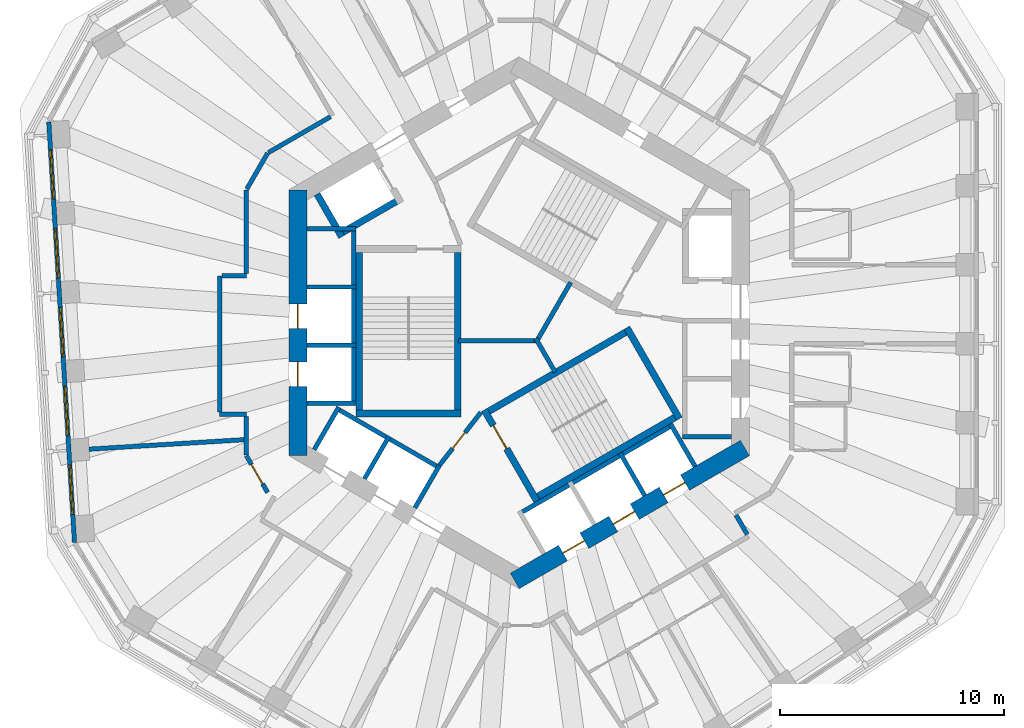
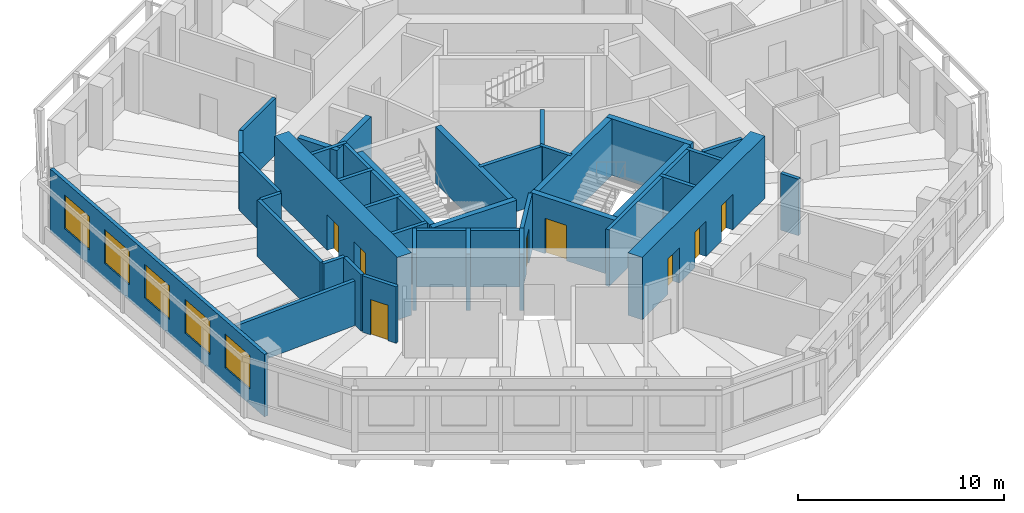
# One storey, part 5 of 11: 39 walls, 8 doors, 5 windows, 13 openings.
"""IFC4 building model written with IfcOpenShell, lengths in metres."""

from ifc_helpers import new_model, si_unit, direction, frame, frame_2d, origin, place, context, subcontext, project, spatial, rectangle, extrude, material, layer, layer_set, type_object, element, fill, save


model = new_model("IFC4")

# Units and contexts
model_context = context("Model", 3, precision=1e-05, world=origin(), true_north=direction((0.0, 1.0)))
body_context = subcontext(model_context, "Body", "Model", "MODEL_VIEW")
ifc_project = project(units=[si_unit("LENGTHUNIT", "METRE"), si_unit("AREAUNIT", "SQUARE_METRE"), si_unit("VOLUMEUNIT", "CUBIC_METRE"), si_unit("PLANEANGLEUNIT", "RADIAN"), si_unit("MASSUNIT", "GRAM", prefix="KILO")], contexts=[model_context])

# Site, building, storey
site_placement = place(None, origin())
site = spatial("IfcSite", under=ifc_project, at=site_placement, CompositionType="ELEMENT")
building_placement = place(site_placement, origin())
building = spatial("IfcBuilding", under=site, at=building_placement, Name="Vanh Sen Convention Tower", CompositionType="ELEMENT")
storey_placement = place(building_placement, frame((0.0, 0.0, 210.60009765625)))
storey = spatial("IfcBuildingStorey", under=building, at=storey_placement, Name="L52", CompositionType="ELEMENT", Elevation=210.60009765625)

# Wall, openings, doors
ifc_material_1 = material(Name="Concrete C60/75", Category="concrete")
ifc_layer_1 = layer(ifc_material_1, 0.800048828125)
ifc_layer_set_1 = layer_set([ifc_layer_1], Name="Concrete C60/75")
wall_type_1 = type_object("IfcWallType", Name="Core outer wall 800 C60/75", PredefinedType="SHEAR", material=ifc_layer_set_1)
wall_1_placement = place(storey_placement, frame((-9.89990234375, 5.94677734375, 0.0), z_axis=(0.0, 0.0, 1.0), x_axis=(0.0, -1.0, 0.0)))
wall_1 = element("IfcWall", 1, at=wall_1_placement, inside=storey, type_object=wall_type_1, Name="Core wall face W L52", PredefinedType="SHEAR", context=body_context, shape_type="SweptSolid", body=[
    extrude(rectangle(XDim=11.8935546875, YDim=0.800048828125, at=frame_2d((5.94677734375, 0.0))), origin(), (0.0, 0.0, 1.0), 3.699951171875),
])
opening_1_placement = place(wall_1_placement, frame((5.0966796875, 0.0, 0.0)))
opening_1 = element("IfcOpeningElement", 2, at=opening_1_placement, cuts=wall_1, Name="Opening LD-HR1", PredefinedType="OPENING", context=body_context, shape_type="SweptSolid", body=[
    extrude(rectangle(XDim=1.10009765625, YDim=2.10009765625, at=frame_2d((0.550048828125, 1.050048828125))), frame((0.0, 0.409912109375, 0.0), z_axis=(0.0, -1.0, 0.0), x_axis=(1.0, 0.0, 0.0)), (0.0, 0.0, 1.0), 0.820068359375),
])
opening_2_placement = place(wall_1_placement, frame((7.69677734375, 0.0, 0.0)))
opening_2 = element("IfcOpeningElement", 3, at=opening_2_placement, cuts=wall_1, Name="Opening LD-HR2", PredefinedType="OPENING", context=body_context, shape_type="SweptSolid", body=[
    extrude(rectangle(XDim=1.10009765625, YDim=2.10009765625, at=frame_2d((0.550048828125, 1.050048828125))), frame((0.0, 0.409912109375, 0.0), z_axis=(0.0, -1.0, 0.0), x_axis=(1.0, 0.0, 0.0)), (0.0, 0.0, 1.0), 0.820068359375),
])
ifc_material_2 = material(Name="Stainless steel", Category="steel")
door_type_1 = type_object("IfcDoorType", Name="Lift landing door 1100", OperationType="DOUBLE_DOOR_SLIDING", PredefinedType="DOOR", material=ifc_material_2)
door_1_placement = place(opening_1_placement, origin())
door_1 = element("IfcDoor", 4, at=door_1_placement, inside=storey, type_object=door_type_1, Name="Lift HR1 landing door LD-HR1", OperationType="DOUBLE_DOOR_SLIDING", OverallHeight=2.10009765625, OverallWidth=1.10009765625, PredefinedType="DOOR", context=body_context, shape_type="SweptSolid", body=[
    extrude(rectangle(XDim=1.10009765625, YDim=2.10009765625, at=frame_2d((0.550048828125, 1.050048828125))), frame((0.0, 0.02490234375, 0.0), z_axis=(0.0, -1.0, 0.0), x_axis=(1.0, 0.0, 0.0)), (0.0, 0.0, 1.0), 0.050048828125),
])
fill(opening_1, door_1)
door_2_placement = place(opening_2_placement, origin())
door_2 = element("IfcDoor", 5, at=door_2_placement, inside=storey, type_object=door_type_1, Name="Lift HR2 landing door LD-HR2", OperationType="DOUBLE_DOOR_SLIDING", OverallHeight=2.10009765625, OverallWidth=1.10009765625, PredefinedType="DOOR", context=body_context, shape_type="SweptSolid", body=[
    extrude(rectangle(XDim=1.10009765625, YDim=2.10009765625, at=frame_2d((0.550048828125, 1.050048828125))), frame((0.0, 0.02490234375, 0.0), z_axis=(0.0, -1.0, 0.0), x_axis=(1.0, 0.0, 0.0)), (0.0, 0.0, 1.0), 0.050048828125),
])
fill(opening_2, door_2)

wall_2_placement = place(storey_placement, frame((-0.199951171875, -11.547119140625, 0.0), z_axis=(0.0, 0.0, 1.0), x_axis=(0.866023897231, 0.500002609418, 0.0)))
wall_2 = element("IfcWall", 6, at=wall_2_placement, inside=storey, type_object=wall_type_1, Name="Core wall face SE L52", PredefinedType="SHEAR", context=body_context, shape_type="SweptSolid", body=[
    extrude(rectangle(XDim=11.8935546875, YDim=0.800048828125, at=frame_2d((5.94677734375, 0.0))), origin(), (0.0, 0.0, 1.0), 3.699951171875),
])
opening_3_placement = place(wall_2_placement, frame((2.49658203125, 0.0, 0.0)))
opening_3 = element("IfcOpeningElement", 7, at=opening_3_placement, cuts=wall_2, Name="Opening LD-HR5", PredefinedType="OPENING", context=body_context, shape_type="SweptSolid", body=[
    extrude(rectangle(XDim=1.10009765625, YDim=2.10009765625, at=frame_2d((0.550048828125, 1.050048828125))), frame((0.0, 0.409912109375, 0.0), z_axis=(0.0, -1.0, 0.0), x_axis=(1.0, 0.0, 0.0)), (0.0, 0.0, 1.0), 0.820068359375),
])
opening_4_placement = place(wall_2_placement, frame((5.0966796875, 0.0, 0.0)))
opening_4 = element("IfcOpeningElement", 8, at=opening_4_placement, cuts=wall_2, Name="Opening LD-HR6", PredefinedType="OPENING", context=body_context, shape_type="SweptSolid", body=[
    extrude(rectangle(XDim=1.10009765625, YDim=2.10009765625, at=frame_2d((0.550048828125, 1.050048828125))), frame((0.0, 0.409912109375, 0.0), z_axis=(0.0, -1.0, 0.0), x_axis=(1.0, 0.0, 0.0)), (0.0, 0.0, 1.0), 0.820068359375),
])
opening_5_placement = place(wall_2_placement, frame((7.69677734375, 0.0, 0.0)))
opening_5 = element("IfcOpeningElement", 9, at=opening_5_placement, cuts=wall_2, Name="Opening LD-SV1", PredefinedType="OPENING", context=body_context, shape_type="SweptSolid", body=[
    extrude(rectangle(XDim=1.10009765625, YDim=2.10009765625, at=frame_2d((0.550048828125, 1.050048828125))), frame((0.0, 0.409912109375, 0.0), z_axis=(0.0, -1.0, 0.0), x_axis=(1.0, 0.0, 0.0)), (0.0, 0.0, 1.0), 0.820068359375),
])
door_3_placement = place(opening_3_placement, origin())
door_3 = element("IfcDoor", 10, at=door_3_placement, inside=storey, type_object=door_type_1, Name="Lift HR5 landing door LD-HR5", OperationType="DOUBLE_DOOR_SLIDING", OverallHeight=2.10009765625, OverallWidth=1.10009765625, PredefinedType="DOOR", context=body_context, shape_type="SweptSolid", body=[
    extrude(rectangle(XDim=1.10009765625, YDim=2.10009765625, at=frame_2d((0.550048828125, 1.050048828125))), frame((0.0, 0.02490234375, 0.0), z_axis=(0.0, -1.0, 0.0), x_axis=(1.0, 0.0, 0.0)), (0.0, 0.0, 1.0), 0.050048828125),
])
fill(opening_3, door_3)
door_4_placement = place(opening_4_placement, origin())
door_4 = element("IfcDoor", 11, at=door_4_placement, inside=storey, type_object=door_type_1, Name="Lift HR6 landing door LD-HR6", OperationType="DOUBLE_DOOR_SLIDING", OverallHeight=2.10009765625, OverallWidth=1.10009765625, PredefinedType="DOOR", context=body_context, shape_type="SweptSolid", body=[
    extrude(rectangle(XDim=1.10009765625, YDim=2.10009765625, at=frame_2d((0.550048828125, 1.050048828125))), frame((0.0, 0.02490234375, 0.0), z_axis=(0.0, -1.0, 0.0), x_axis=(1.0, 0.0, 0.0)), (0.0, 0.0, 1.0), 0.050048828125),
])
fill(opening_4, door_4)
door_5_placement = place(opening_5_placement, origin())
door_5 = element("IfcDoor", 12, at=door_5_placement, inside=storey, type_object=door_type_1, Name="Lift SV1 landing door LD-SV1", OperationType="DOUBLE_DOOR_SLIDING", OverallHeight=2.10009765625, OverallWidth=1.10009765625, PredefinedType="DOOR", context=body_context, shape_type="SweptSolid", body=[
    extrude(rectangle(XDim=1.10009765625, YDim=2.10009765625, at=frame_2d((0.550048828125, 1.050048828125))), frame((0.0, 0.02490234375, 0.0), z_axis=(0.0, -1.0, 0.0), x_axis=(1.0, 0.0, 0.0)), (0.0, 0.0, 1.0), 0.050048828125),
])
fill(opening_5, door_5)

# Walls
ifc_material_3 = material(Name="Masonry blockwork", Category="masonry")
ifc_layer_2 = layer(ifc_material_3, 0.199951171875)
ifc_layer_set_2 = layer_set([ifc_layer_2], Name="Masonry blockwork")
wall_type_2 = type_object("IfcWallType", Name="Core partition 200", PredefinedType="PARTITIONING", material=ifc_layer_set_2)
wall_3_placement = place(storey_placement, frame((0.919921875, -0.800048828125, 0.0), z_axis=(0.0, 0.0, 1.0), x_axis=(-1.0, 0.0, 0.0)))
element("IfcWall", 13, at=wall_3_placement, inside=storey, type_object=wall_type_2, Name="Core partition L52", PredefinedType="PARTITIONING", context=body_context, shape_type="SweptSolid", body=[
    extrude(rectangle(XDim=3.639892578125, YDim=0.199951171875, at=frame_2d((1.81982421875, 0.0))), origin(), (0.0, 0.0, 1.0), 3.349853515625),
])
wall_4_placement = place(storey_placement, frame((0.739990234375, -0.90380859375, 0.0), z_axis=(0.0, 0.0, 1.0), x_axis=(0.500028278809, 0.866009076391, 0.0)))
element("IfcWall", 14, at=wall_4_placement, inside=storey, type_object=wall_type_2, Name="Core partition L52", PredefinedType="PARTITIONING", context=body_context, shape_type="SweptSolid", body=[
    extrude(rectangle(XDim=3.132568359375, YDim=0.199951171875, at=frame_2d((1.56640625, 0.0))), origin(), (0.0, 0.0, 1.0), 3.349853515625),
])
wall_5_placement = place(storey_placement, frame((0.739990234375, -0.696044921875, 0.0), z_axis=(0.0, 0.0, 1.0), x_axis=(0.499956301907, -0.86605063142, 0.0)))
element("IfcWall", 15, at=wall_5_placement, inside=storey, type_object=wall_type_2, Name="Core partition L52", PredefinedType="PARTITIONING", context=body_context, shape_type="SweptSolid", body=[
    extrude(rectangle(XDim=1.747314453125, YDim=0.199951171875, at=frame_2d((0.87353515625, 0.0))), origin(), (0.0, 0.0, 1.0), 3.349853515625),
])
ifc_material_4 = material(Name="Gypsum board on steel studs with mineral wool", Category="steel")
ifc_layer_3 = layer(ifc_material_4, 0.199951171875)
ifc_layer_set_3 = layer_set([ifc_layer_3], Name="Gypsum board on steel studs with mineral wool")
wall_type_3 = type_object("IfcWallType", Name="Corridor partition wall 200", PredefinedType="PARTITIONING", material=ifc_layer_set_3)
wall_6_placement = place(storey_placement, frame((-13.40087890625, -4.10107421875, 0.0), z_axis=(0.0, 0.0, 1.0), x_axis=(1.0, 0.0, 0.0)))
element("IfcWall", 16, at=wall_6_placement, inside=storey, type_object=wall_type_3, Name="Corridor partition wall 200", PredefinedType="PARTITIONING", context=body_context, shape_type="SweptSolid", body=[
    extrude(rectangle(XDim=1.200927734375, YDim=0.199951171875, at=frame_2d((0.6005859375, 0.0))), origin(), (0.0, 0.0, 1.0), 3.349853515625),
])
wall_7_placement = place(storey_placement, frame((-13.40087890625, 2.10107421875, 0.0), z_axis=(0.0, 0.0, 1.0), x_axis=(0.0, -1.0, 0.0)))
element("IfcWall", 17, at=wall_7_placement, inside=storey, type_object=wall_type_3, Name="Corridor partition wall 200", PredefinedType="PARTITIONING", context=body_context, shape_type="SweptSolid", body=[
    extrude(rectangle(XDim=6.10205078125, YDim=0.199951171875, at=frame_2d((3.051025390625, 0.0))), origin(), (0.0, 0.0, 1.0), 3.349853515625),
])

# Wall, opening, door
wall_8_placement = place(storey_placement, frame((-12.199951171875, -5.94677734375, 0.0), z_axis=(0.0, 0.0, 1.0), x_axis=(0.500022797313, -0.86601224135, 0.0)))
wall_8 = element("IfcWall", 18, at=wall_8_placement, inside=storey, type_object=wall_type_3, Name="Corridor partition wall 200", PredefinedType="PARTITIONING", context=body_context, shape_type="SweptSolid", body=[
    extrude(rectangle(XDim=1.89990234375, YDim=0.199951171875, at=frame_2d((0.949951171875, 0.0))), origin(), (0.0, 0.0, 1.0), 3.349853515625),
])
opening_6_placement = place(wall_8_placement, frame((0.449951171875, 0.0, 0.0)))
opening_6 = element("IfcOpeningElement", 19, at=opening_6_placement, cuts=wall_8, Name="Opening D52109", PredefinedType="OPENING", context=body_context, shape_type="SweptSolid", body=[
    extrude(rectangle(XDim=1.0, YDim=2.10009765625, at=frame_2d((0.5, 1.050048828125))), frame((0.0, 0.10986328125, 0.0), z_axis=(0.0, -1.0, 0.0), x_axis=(1.0, 0.0, 0.0)), (0.0, 0.0, 1.0), 0.219970703125),
])
ifc_material_5 = material(Name="Timber fire door in steel frame", Category="steel")
door_type_2 = type_object("IfcDoorType", Name="Floor room door 1000", OperationType="SINGLE_SWING_LEFT", PredefinedType="DOOR", material=ifc_material_5)
door_6_placement = place(opening_6_placement, origin())
door_6 = element("IfcDoor", 20, at=door_6_placement, inside=storey, type_object=door_type_2, Name="Meeting and amenity room door D52109", OperationType="SINGLE_SWING_LEFT", OverallHeight=2.10009765625, OverallWidth=1.0, PredefinedType="DOOR", context=body_context, shape_type="SweptSolid", body=[
    extrude(rectangle(XDim=1.0, YDim=2.10009765625, at=frame_2d((0.5, 1.050048828125))), frame((0.0, 0.02490234375, 0.0), z_axis=(0.0, -1.0, 0.0), x_axis=(1.0, 0.0, 0.0)), (0.0, 0.0, 1.0), 0.050048828125),
])
fill(opening_6, door_6)

# Walls
wall_9_placement = place(storey_placement, frame((-12.199951171875, -4.200927734375, 0.0), z_axis=(0.0, 0.0, 1.0), x_axis=(0.0, -1.0, 0.0)))
element("IfcWall", 21, at=wall_9_placement, inside=storey, type_object=wall_type_3, Name="Corridor partition wall 200", PredefinedType="PARTITIONING", context=body_context, shape_type="SweptSolid", body=[
    extrude(rectangle(XDim=1.705810546875, YDim=0.199951171875, at=frame_2d((0.85302734375, 0.0))), origin(), (0.0, 0.0, 1.0), 3.349853515625),
])
wall_10_placement = place(storey_placement, frame((-12.199951171875, 2.10107421875, 0.0), z_axis=(0.0, 0.0, 1.0), x_axis=(-1.0, 0.0, 0.0)))
element("IfcWall", 22, at=wall_10_placement, inside=storey, type_object=wall_type_3, Name="Corridor partition wall 200", PredefinedType="PARTITIONING", context=body_context, shape_type="SweptSolid", body=[
    extrude(rectangle(XDim=1.10107421875, YDim=0.199951171875, at=frame_2d((0.550537109375, 0.0))), origin(), (0.0, 0.0, 1.0), 3.349853515625),
])
wall_11_placement = place(storey_placement, frame((-12.199951171875, 5.94677734375, 0.0), z_axis=(0.0, 0.0, 1.0), x_axis=(0.0, -1.0, 0.0)))
element("IfcWall", 23, at=wall_11_placement, inside=storey, type_object=wall_type_3, Name="Corridor partition wall 200", PredefinedType="PARTITIONING", context=body_context, shape_type="SweptSolid", body=[
    extrude(rectangle(XDim=3.745849609375, YDim=0.199951171875, at=frame_2d((1.873046875, 0.0))), origin(), (0.0, 0.0, 1.0), 3.349853515625),
])
wall_12_placement = place(storey_placement, frame((-11.25, 7.592041015625, 0.0), z_axis=(0.0, 0.0, 1.0), x_axis=(-0.499964847546, -0.866045698112, 0.0)))
element("IfcWall", 24, at=wall_12_placement, inside=storey, type_object=wall_type_3, Name="Corridor partition wall 200", PredefinedType="PARTITIONING", context=body_context, shape_type="SweptSolid", body=[
    extrude(rectangle(XDim=1.860107421875, YDim=0.199951171875, at=frame_2d((0.93017578125, 0.0))), origin(), (0.0, 0.0, 1.0), 3.349853515625),
])
wall_13_placement = place(storey_placement, frame((-8.4365234375, 9.216552734375, 0.0), z_axis=(0.0, 0.0, 1.0), x_axis=(-0.866005660673, -0.500034194513, 0.0)))
element("IfcWall", 25, at=wall_13_placement, inside=storey, type_object=wall_type_3, Name="Corridor partition wall 200", PredefinedType="PARTITIONING", context=body_context, shape_type="SweptSolid", body=[
    extrude(rectangle(XDim=3.208740234375, YDim=0.199951171875, at=frame_2d((1.6044921875, 0.0))), origin(), (0.0, 0.0, 1.0), 3.349853515625),
])
wall_14_placement = place(storey_placement, frame((10.2021484375, -9.468505859375, 0.0), z_axis=(0.0, 0.0, 1.0), x_axis=(-0.499968756647, 0.866043441391, 0.0)))
element("IfcWall", 26, at=wall_14_placement, inside=storey, type_object=wall_type_3, Name="Corridor partition wall 200", PredefinedType="PARTITIONING", context=body_context, shape_type="SweptSolid", body=[
    extrude(rectangle(XDim=1.0009765625, YDim=0.199951171875, at=frame_2d((0.50048828125, 0.0))), origin(), (0.0, 0.0, 1.0), 3.349853515625),
])

# Wall, openings, windows
ifc_material_6 = material(Name="Insulated lightweight infill wall")
ifc_layer_4 = layer(ifc_material_6, 0.199951171875)
ifc_layer_set_4 = layer_set([ifc_layer_4], Name="Insulated lightweight infill wall")
wall_type_4 = type_object("IfcWallType", Name="External wall 200", PredefinedType="STANDARD", material=ifc_layer_set_4)
wall_15_placement = place(storey_placement, frame((-21.03759765625, 8.983642578125, 0.0), z_axis=(0.0, 0.0, 1.0), x_axis=(0.061043935634, -0.998135079998, 0.0)))
wall_15 = element("IfcWall", 27, at=wall_15_placement, inside=storey, type_object=wall_type_4, Name="External wall W L52", PredefinedType="STANDARD", context=body_context, shape_type="SweptSolid", body=[
    extrude(rectangle(XDim=18.84130859375, YDim=0.199951171875, at=frame_2d((9.420654296875, 0.0))), origin(), (0.0, 0.0, 1.0), 3.699951171875),
])
opening_7_placement = place(wall_15_placement, frame((1.252685546875, 0.0, 0.89990234375)))
opening_7 = element("IfcOpeningElement", 28, at=opening_7_placement, cuts=wall_15, Name="Opening WO3-W1", PredefinedType="OPENING", context=body_context, shape_type="SweptSolid", body=[
    extrude(rectangle(XDim=2.199951171875, YDim=2.0, at=frame_2d((1.10009765625, 1.0))), frame((0.0, 0.10986328125, 0.0), z_axis=(0.0, -1.0, 0.0), x_axis=(1.0, 0.0, 0.0)), (0.0, 0.0, 1.0), 0.219970703125),
])
opening_8_placement = place(wall_15_placement, frame((4.7861328125, 0.0, 0.89990234375)))
opening_8 = element("IfcOpeningElement", 29, at=opening_8_placement, cuts=wall_15, Name="Opening WO3-W2", PredefinedType="OPENING", context=body_context, shape_type="SweptSolid", body=[
    extrude(rectangle(XDim=2.199951171875, YDim=2.0, at=frame_2d((1.10009765625, 1.0))), frame((0.0, 0.10986328125, 0.0), z_axis=(0.0, -1.0, 0.0), x_axis=(1.0, 0.0, 0.0)), (0.0, 0.0, 1.0), 0.219970703125),
])
opening_9_placement = place(wall_15_placement, frame((8.31982421875, 0.0, 0.89990234375)))
opening_9 = element("IfcOpeningElement", 30, at=opening_9_placement, cuts=wall_15, Name="Opening WO3-W3", PredefinedType="OPENING", context=body_context, shape_type="SweptSolid", body=[
    extrude(rectangle(XDim=2.199951171875, YDim=2.0, at=frame_2d((1.10009765625, 1.0))), frame((0.0, 0.10986328125, 0.0), z_axis=(0.0, -1.0, 0.0), x_axis=(1.0, 0.0, 0.0)), (0.0, 0.0, 1.0), 0.219970703125),
])
opening_10_placement = place(wall_15_placement, frame((11.853515625, 0.0, 0.89990234375)))
opening_10 = element("IfcOpeningElement", 31, at=opening_10_placement, cuts=wall_15, Name="Opening WO3-W4", PredefinedType="OPENING", context=body_context, shape_type="SweptSolid", body=[
    extrude(rectangle(XDim=2.199951171875, YDim=2.0, at=frame_2d((1.10009765625, 1.0))), frame((0.0, 0.10986328125, 0.0), z_axis=(0.0, -1.0, 0.0), x_axis=(1.0, 0.0, 0.0)), (0.0, 0.0, 1.0), 0.219970703125),
])
opening_11_placement = place(wall_15_placement, frame((15.38720703125, 0.0, 0.89990234375)))
opening_11 = element("IfcOpeningElement", 32, at=opening_11_placement, cuts=wall_15, Name="Opening WO3-W5", PredefinedType="OPENING", context=body_context, shape_type="SweptSolid", body=[
    extrude(rectangle(XDim=2.199951171875, YDim=2.0, at=frame_2d((1.10009765625, 1.0))), frame((0.0, 0.10986328125, 0.0), z_axis=(0.0, -1.0, 0.0), x_axis=(1.0, 0.0, 0.0)), (0.0, 0.0, 1.0), 0.219970703125),
])
ifc_material_7 = material(Name="Aluminium frame with clear low-emissivity glass", Category="aluminium")
window_type = type_object("IfcWindowType", Name="Office window 2200 x 2000", PartitioningType="SINGLE_PANEL", PredefinedType="WINDOW", material=ifc_material_7)
window_1_placement = place(opening_7_placement, origin())
window_1 = element("IfcWindow", 33, at=window_1_placement, inside=storey, type_object=window_type, Name="Window WO3-W1", OverallHeight=2.0, OverallWidth=2.199951171875, PartitioningType="SINGLE_PANEL", PredefinedType="WINDOW", context=body_context, shape_type="SweptSolid", body=[
    extrude(rectangle(XDim=2.199951171875, YDim=2.0, at=frame_2d((1.10009765625, 1.0))), frame((0.0, 0.030029296875, 0.0), z_axis=(0.0, -1.0, 0.0), x_axis=(1.0, 0.0, 0.0)), (0.0, 0.0, 1.0), 0.06005859375),
])
fill(opening_7, window_1)
window_2_placement = place(opening_8_placement, origin())
window_2 = element("IfcWindow", 34, at=window_2_placement, inside=storey, type_object=window_type, Name="Window WO3-W2", OverallHeight=2.0, OverallWidth=2.199951171875, PartitioningType="SINGLE_PANEL", PredefinedType="WINDOW", context=body_context, shape_type="SweptSolid", body=[
    extrude(rectangle(XDim=2.199951171875, YDim=2.0, at=frame_2d((1.10009765625, 1.0))), frame((0.0, 0.030029296875, 0.0), z_axis=(0.0, -1.0, 0.0), x_axis=(1.0, 0.0, 0.0)), (0.0, 0.0, 1.0), 0.06005859375),
])
fill(opening_8, window_2)
window_3_placement = place(opening_9_placement, origin())
window_3 = element("IfcWindow", 35, at=window_3_placement, inside=storey, type_object=window_type, Name="Window WO3-W3", OverallHeight=2.0, OverallWidth=2.199951171875, PartitioningType="SINGLE_PANEL", PredefinedType="WINDOW", context=body_context, shape_type="SweptSolid", body=[
    extrude(rectangle(XDim=2.199951171875, YDim=2.0, at=frame_2d((1.10009765625, 1.0))), frame((0.0, 0.030029296875, 0.0), z_axis=(0.0, -1.0, 0.0), x_axis=(1.0, 0.0, 0.0)), (0.0, 0.0, 1.0), 0.06005859375),
])
fill(opening_9, window_3)
window_4_placement = place(opening_10_placement, origin())
window_4 = element("IfcWindow", 36, at=window_4_placement, inside=storey, type_object=window_type, Name="Window WO3-W4", OverallHeight=2.0, OverallWidth=2.199951171875, PartitioningType="SINGLE_PANEL", PredefinedType="WINDOW", context=body_context, shape_type="SweptSolid", body=[
    extrude(rectangle(XDim=2.199951171875, YDim=2.0, at=frame_2d((1.10009765625, 1.0))), frame((0.0, 0.030029296875, 0.0), z_axis=(0.0, -1.0, 0.0), x_axis=(1.0, 0.0, 0.0)), (0.0, 0.0, 1.0), 0.06005859375),
])
fill(opening_10, window_4)
window_5_placement = place(opening_11_placement, origin())
window_5 = element("IfcWindow", 37, at=window_5_placement, inside=storey, type_object=window_type, Name="Window WO3-W5", OverallHeight=2.0, OverallWidth=2.199951171875, PartitioningType="SINGLE_PANEL", PredefinedType="WINDOW", context=body_context, shape_type="SweptSolid", body=[
    extrude(rectangle(XDim=2.199951171875, YDim=2.0, at=frame_2d((1.10009765625, 1.0))), frame((0.0, 0.030029296875, 0.0), z_axis=(0.0, -1.0, 0.0), x_axis=(1.0, 0.0, 0.0)), (0.0, 0.0, 1.0), 0.06005859375),
])
fill(opening_11, window_5)

# Walls
ifc_layer_5 = layer(ifc_material_1, 0.300048828125)
ifc_layer_set_5 = layer_set([ifc_layer_5], Name="Concrete C60/75")
wall_type_5 = type_object("IfcWallType", Name="Fire-fighting lift shaft wall 300", PredefinedType="SHEAR", material=ifc_layer_set_5)
wall_16_placement = place(storey_placement, frame((-5.240478515625, 5.576904296875, 0.0), z_axis=(0.0, 0.0, 1.0), x_axis=(-0.866014461049, -0.500018952895, 0.0)))
element("IfcWall", 38, at=wall_16_placement, inside=storey, type_object=wall_type_5, Name="Fire-fighting lift shaft wall L52", PredefinedType="SHEAR", context=body_context, shape_type="SweptSolid", body=[
    extrude(rectangle(XDim=3.349853515625, YDim=0.300048828125, at=frame_2d((1.6748046875, 0.0))), origin(), (0.0, 0.0, 1.0), 3.349853515625),
])
wall_17_placement = place(storey_placement, frame((-7.936767578125, 3.846923828125, 0.0), z_axis=(0.0, 0.0, 1.0), x_axis=(-0.50002983664, 0.866008176907, 0.0)))
element("IfcWall", 39, at=wall_17_placement, inside=storey, type_object=wall_type_5, Name="Fire-fighting lift shaft wall L52", PredefinedType="SHEAR", context=body_context, shape_type="SweptSolid", body=[
    extrude(rectangle(XDim=2.199951171875, YDim=0.300048828125, at=frame_2d((1.10009765625, 0.0))), origin(), (0.0, 0.0, 1.0), 3.349853515625),
])
ifc_material_8 = material(Name="Concrete C40/50", Category="concrete")
ifc_layer_6 = layer(ifc_material_8, 0.199951171875)
ifc_layer_set_6 = layer_set([ifc_layer_6], Name="Concrete C40/50")
wall_type_6 = type_object("IfcWallType", Name="Lift shaft wall 200", PredefinedType="PARTITIONING", material=ifc_layer_set_6)
wall_18_placement = place(storey_placement, frame((7.300048828125, -5.10009765625, 0.0), z_axis=(0.0, 0.0, 1.0), x_axis=(1.0, 0.0, 0.0)))
element("IfcWall", 40, at=wall_18_placement, inside=storey, type_object=wall_type_6, Name="Lift shaft wall L52", PredefinedType="PARTITIONING", context=body_context, shape_type="SweptSolid", body=[
    extrude(rectangle(XDim=2.199951171875, YDim=0.199951171875, at=frame_2d((1.10009765625, 0.0))), origin(), (0.0, 0.0, 1.0), 3.349853515625),
])
wall_19_placement = place(storey_placement, frame((-7.39990234375, 4.300048828125, 0.0), z_axis=(0.0, 0.0, 1.0), x_axis=(0.0, -1.0, 0.0)))
element("IfcWall", 41, at=wall_19_placement, inside=storey, type_object=wall_type_6, Name="Lift shaft wall L52", PredefinedType="PARTITIONING", context=body_context, shape_type="SweptSolid", body=[
    extrude(rectangle(XDim=8.0, YDim=0.199951171875, at=frame_2d((4.0, 0.0))), origin(), (0.0, 0.0, 1.0), 3.349853515625),
])
for number, where, z_axis, x_axis, name in (
    (42, (-7.300048828125, 4.199951171875, 0.0), (0.0, 0.0, 1.0), (-1.0, 0.0, 0.0), "Lift shaft wall L52"),
    (43, (-7.300048828125, 1.60009765625, 0.0), (0.0, 0.0, 1.0), (-1.0, 0.0, 0.0), "Lift shaft wall L52"),
    (44, (-7.300048828125, -1.0, 0.0), (0.0, 0.0, 1.0), (-1.0, 0.0, 0.0), "Lift shaft wall L52"),
    (45, (-7.300048828125, -3.60009765625, 0.0), (0.0, 0.0, 1.0), (-1.0, 0.0, 0.0), "Lift shaft wall L52"),
):
    element("IfcWall", number, at=place(storey_placement, frame(where, z_axis=z_axis, x_axis=x_axis)), inside=storey, type_object=wall_type_6, Name=name, PredefinedType="PARTITIONING", context=body_context, shape_type="SweptSolid", body=[
        extrude(rectangle(XDim=2.199951171875, YDim=0.199951171875, at=frame_2d((1.10009765625, 0.0))), origin(), (0.0, 0.0, 1.0), 3.349853515625),
    ])
wall_20_placement = place(storey_placement, frame((-8.203369140625, -3.80859375, 0.0), z_axis=(0.0, 0.0, 1.0), x_axis=(0.866028230842, -0.499995103361, 0.0)))
element("IfcWall", 46, at=wall_20_placement, inside=storey, type_object=wall_type_6, Name="Lift shaft wall L52", PredefinedType="PARTITIONING", context=body_context, shape_type="SweptSolid", body=[
    extrude(rectangle(XDim=5.39990234375, YDim=0.199951171875, at=frame_2d((2.699951171875, 0.0))), origin(), (0.0, 0.0, 1.0), 3.349853515625),
])
for number, where, z_axis, x_axis, name in (
    (47, (-8.066650390625, -3.77197265625, 0.0), (0.0, 0.0, 1.0), (-0.50002983664, -0.866008176907, 0.0), "Lift shaft wall L52"),
    (48, (-5.815185546875, -5.072021484375, 0.0), (0.0, 0.0, 1.0), (-0.499946605688, -0.86605622881, 0.0), "Lift shaft wall L52"),
):
    element("IfcWall", number, at=place(storey_placement, frame(where, z_axis=z_axis, x_axis=x_axis)), inside=storey, type_object=wall_type_6, Name=name, PredefinedType="PARTITIONING", context=body_context, shape_type="SweptSolid", body=[
        extrude(rectangle(XDim=2.199951171875, YDim=0.199951171875, at=frame_2d((1.10009765625, 0.0))), origin(), (0.0, 0.0, 1.0), 3.349853515625),
    ])
wall_21_placement = place(storey_placement, frame((-3.5634765625, -6.3720703125, 0.0), z_axis=(0.0, 0.0, 1.0), x_axis=(-0.499994660107, -0.866028486751, 0.0)))
element("IfcWall", 49, at=wall_21_placement, inside=storey, type_object=wall_type_6, Name="Lift shaft wall L52", PredefinedType="PARTITIONING", context=body_context, shape_type="SweptSolid", body=[
    extrude(rectangle(XDim=2.19970703125, YDim=0.199951171875, at=frame_2d((1.099853515625, 0.0))), origin(), (0.0, 0.0, 1.0), 3.349853515625),
])
wall_22_placement = place(storey_placement, frame((-0.02392578125, -8.55859375, 0.0), z_axis=(0.0, 0.0, 1.0), x_axis=(0.866026010844, 0.49999894854, 0.0)))
element("IfcWall", 50, at=wall_22_placement, inside=storey, type_object=wall_type_6, Name="Lift shaft wall L52", PredefinedType="PARTITIONING", context=body_context, shape_type="SweptSolid", body=[
    extrude(rectangle(XDim=8.0, YDim=0.199951171875, at=frame_2d((4.0, 0.0))), origin(), (0.0, 0.0, 1.0), 3.349853515625),
])
for number, where, z_axis, x_axis, name in (
    (51, (4.51611328125, -5.822021484375, 0.0), (0.0, 0.0, 1.0), (0.499946605688, -0.86605622881, 0.0), "Lift shaft wall L52"),
    (52, (6.767578125, -4.52197265625, 0.0), (0.0, 0.0, 1.0), (0.50002983664, -0.866008176907, 0.0), "Lift shaft wall L52"),
):
    element("IfcWall", number, at=place(storey_placement, frame(where, z_axis=z_axis, x_axis=x_axis)), inside=storey, type_object=wall_type_6, Name=name, PredefinedType="PARTITIONING", context=body_context, shape_type="SweptSolid", body=[
        extrude(rectangle(XDim=2.199951171875, YDim=0.199951171875, at=frame_2d((1.10009765625, 0.0))), origin(), (0.0, 0.0, 1.0), 3.349853515625),
    ])

# Wall, opening, door
ifc_layer_7 = layer(ifc_material_8, 0.199951171875)
ifc_layer_set_7 = layer_set([ifc_layer_7], Name="Concrete C40/50")
wall_type_7 = type_object("IfcWallType", Name="Stair lobby wall 200", PredefinedType="PARTITIONING", material=ifc_layer_set_7)
wall_23_placement = place(storey_placement, frame((-1.71240234375, -4.00830078125, 0.0), z_axis=(0.0, 0.0, 1.0), x_axis=(-0.616549420702, -0.787316208287, 0.0)))
wall_23 = element("IfcWall", 53, at=wall_23_placement, inside=storey, type_object=wall_type_7, Name="Stair lobby wall L52", PredefinedType="PARTITIONING", context=body_context, shape_type="SweptSolid", body=[
    extrude(rectangle(XDim=3.002197265625, YDim=0.199951171875, at=frame_2d((1.5009765625, 0.0))), origin(), (0.0, 0.0, 1.0), 3.349853515625),
])
opening_12_placement = place(wall_23_placement, frame((1.14990234375, 0.0, 0.0)))
opening_12 = element("IfcOpeningElement", 54, at=opening_12_placement, cuts=wall_23, Name="Opening D52009", PredefinedType="OPENING", context=body_context, shape_type="SweptSolid", body=[
    extrude(rectangle(XDim=0.89990234375, YDim=2.10009765625, at=frame_2d((0.449951171875, 1.050048828125))), frame((0.0, 0.10986328125, 0.0), z_axis=(0.0, -1.0, 0.0), x_axis=(1.0, 0.0, 0.0)), (0.0, 0.0, 1.0), 0.219970703125),
])
ifc_material_9 = material(Name="Steel S355", Category="steel")
door_type_3 = type_object("IfcDoorType", Name="Plant door 900", OperationType="SINGLE_SWING_LEFT", PredefinedType="DOOR", material=ifc_material_9)
door_7_placement = place(opening_12_placement, origin())
door_7 = element("IfcDoor", 55, at=door_7_placement, inside=storey, type_object=door_type_3, Name="Plant door D52009", OperationType="SINGLE_SWING_LEFT", OverallHeight=2.10009765625, OverallWidth=0.89990234375, PredefinedType="DOOR", context=body_context, shape_type="SweptSolid", body=[
    extrude(rectangle(XDim=0.89990234375, YDim=2.10009765625, at=frame_2d((0.449951171875, 1.050048828125))), frame((0.0, 0.02490234375, 0.0), z_axis=(0.0, -1.0, 0.0), x_axis=(1.0, 0.0, 0.0)), (0.0, 0.0, 1.0), 0.050048828125),
])
fill(opening_12, door_7)

# Walls
ifc_layer_8 = layer(ifc_material_1, 0.300048828125)
ifc_layer_set_8 = layer_set([ifc_layer_8], Name="Concrete C60/75")
wall_type_8 = type_object("IfcWallType", Name="Stair wall 300", PredefinedType="SHEAR", material=ifc_layer_set_8)
wall_24_placement = place(storey_placement, frame((-2.60009765625, -4.06005859375, 0.0), z_axis=(0.0, 0.0, 1.0), x_axis=(-1.0, 0.0, 0.0)))
element("IfcWall", 56, at=wall_24_placement, inside=storey, type_object=wall_type_8, Name="Stair wall L52", PredefinedType="SHEAR", context=body_context, shape_type="SweptSolid", body=[
    extrude(rectangle(XDim=4.699951171875, YDim=0.300048828125, at=frame_2d((2.35009765625, 0.0))), origin(), (0.0, 0.0, 1.0), 3.349853515625),
])
for number, where, z_axis, x_axis, name in (
    (57, (-2.75, 3.14990234375, 0.0), (0.0, 0.0, 1.0), (0.0, -1.0, 0.0), "Stair wall L52"),
    (58, (-7.14990234375, 3.14990234375, 0.0), (0.0, 0.0, 1.0), (0.0, -1.0, 0.0), "Stair wall L52"),
):
    element("IfcWall", number, at=place(storey_placement, frame(where, z_axis=z_axis, x_axis=x_axis)), inside=storey, type_object=wall_type_8, Name=name, PredefinedType="SHEAR", context=body_context, shape_type="SweptSolid", body=[
        extrude(rectangle(XDim=7.059814453125, YDim=0.300048828125, at=frame_2d((3.52978515625, 0.0))), origin(), (0.0, 0.0, 1.0), 3.349853515625),
    ])

# Wall, opening, door
wall_25_placement = place(storey_placement, frame((-1.557861328125, -3.901611328125, 0.0), z_axis=(0.0, 0.0, 1.0), x_axis=(0.499977259774, -0.866038532462, 0.0)))
wall_25 = element("IfcWall", 59, at=wall_25_placement, inside=storey, type_object=wall_type_8, Name="Stair wall L52", PredefinedType="SHEAR", context=body_context, shape_type="SweptSolid", body=[
    extrude(rectangle(XDim=4.699951171875, YDim=0.300048828125, at=frame_2d((2.35009765625, 0.0))), origin(), (0.0, 0.0, 1.0), 3.349853515625),
])
opening_13_placement = place(wall_25_placement, frame((0.800048828125, 0.0, 0.0)))
opening_13 = element("IfcOpeningElement", 60, at=opening_13_placement, cuts=wall_25, Name="Opening D52006", PredefinedType="OPENING", context=body_context, shape_type="SweptSolid", body=[
    extrude(rectangle(XDim=1.199951171875, YDim=2.10009765625, at=frame_2d((0.60009765625, 1.050048828125))), frame((0.0, 0.159912109375, 0.0), z_axis=(0.0, -1.0, 0.0), x_axis=(1.0, 0.0, 0.0)), (0.0, 0.0, 1.0), 0.320068359375),
])
door_type_4 = type_object("IfcDoorType", Name="Stair door 1200", OperationType="SINGLE_SWING_RIGHT", PredefinedType="DOOR", material=ifc_material_9)
door_8_placement = place(opening_13_placement, origin())
door_8 = element("IfcDoor", 61, at=door_8_placement, inside=storey, type_object=door_type_4, Name="Stair ST3 door D52006", OperationType="SINGLE_SWING_RIGHT", OverallHeight=2.10009765625, OverallWidth=1.199951171875, PredefinedType="DOOR", context=body_context, shape_type="SweptSolid", body=[
    extrude(rectangle(XDim=1.199951171875, YDim=2.10009765625, at=frame_2d((0.60009765625, 1.050048828125))), frame((0.0, 0.02490234375, 0.0), z_axis=(0.0, -1.0, 0.0), x_axis=(1.0, 0.0, 0.0)), (0.0, 0.0, 1.0), 0.050048828125),
])
fill(opening_13, door_8)

# Walls
wall_26_placement = place(storey_placement, frame((4.816162109375, -0.2216796875, 0.0), z_axis=(0.0, 0.0, 1.0), x_axis=(0.499977259774, -0.866038532462, 0.0)))
element("IfcWall", 62, at=wall_26_placement, inside=storey, type_object=wall_type_8, Name="Stair wall L52", PredefinedType="SHEAR", context=body_context, shape_type="SweptSolid", body=[
    extrude(rectangle(XDim=4.699951171875, YDim=0.300048828125, at=frame_2d((2.35009765625, 0.0))), origin(), (0.0, 0.0, 1.0), 3.349853515625),
])
for number, where, z_axis, x_axis, name in (
    (63, (-1.35302734375, -3.95654296875, 0.0), (0.0, 0.0, 1.0), (0.866027801685, 0.499995846692, 0.0), "Stair wall L52"),
    (64, (0.846923828125, -7.76708984375, 0.0), (0.0, 0.0, 1.0), (0.866027801685, 0.499995846692, 0.0), "Stair wall L52"),
):
    element("IfcWall", number, at=place(storey_placement, frame(where, z_axis=z_axis, x_axis=x_axis)), inside=storey, type_object=wall_type_8, Name=name, PredefinedType="SHEAR", context=body_context, shape_type="SweptSolid", body=[
        extrude(rectangle(XDim=7.06005859375, YDim=0.300048828125, at=frame_2d((3.530029296875, 0.0))), origin(), (0.0, 0.0, 1.0), 3.349853515625),
    ])
ifc_layer_9 = layer(ifc_material_4, 0.199951171875)
ifc_layer_set_9 = layer_set([ifc_layer_9], Name="Gypsum board on steel studs with mineral wool")
wall_type_9 = type_object("IfcWallType", Name="Tenant suite wall 200", PredefinedType="PARTITIONING", material=ifc_layer_set_9)
wall_27_placement = place(storey_placement, frame((-19.24072265625, -5.654296875, 0.0), z_axis=(0.0, 0.0, 1.0), x_axis=(0.998135538818, 0.061036432963, 0.0)))
element("IfcWall", 65, at=wall_27_placement, inside=storey, type_object=wall_type_9, Name="Tenant suite wall 200", PredefinedType="PARTITIONING", context=body_context, shape_type="SweptSolid", body=[
    extrude(rectangle(XDim=6.94384765625, YDim=0.199951171875, at=frame_2d((3.471923828125, 0.0))), origin(), (0.0, 0.0, 1.0), 2.64990234375),
])

save(model, "model.ifc")
